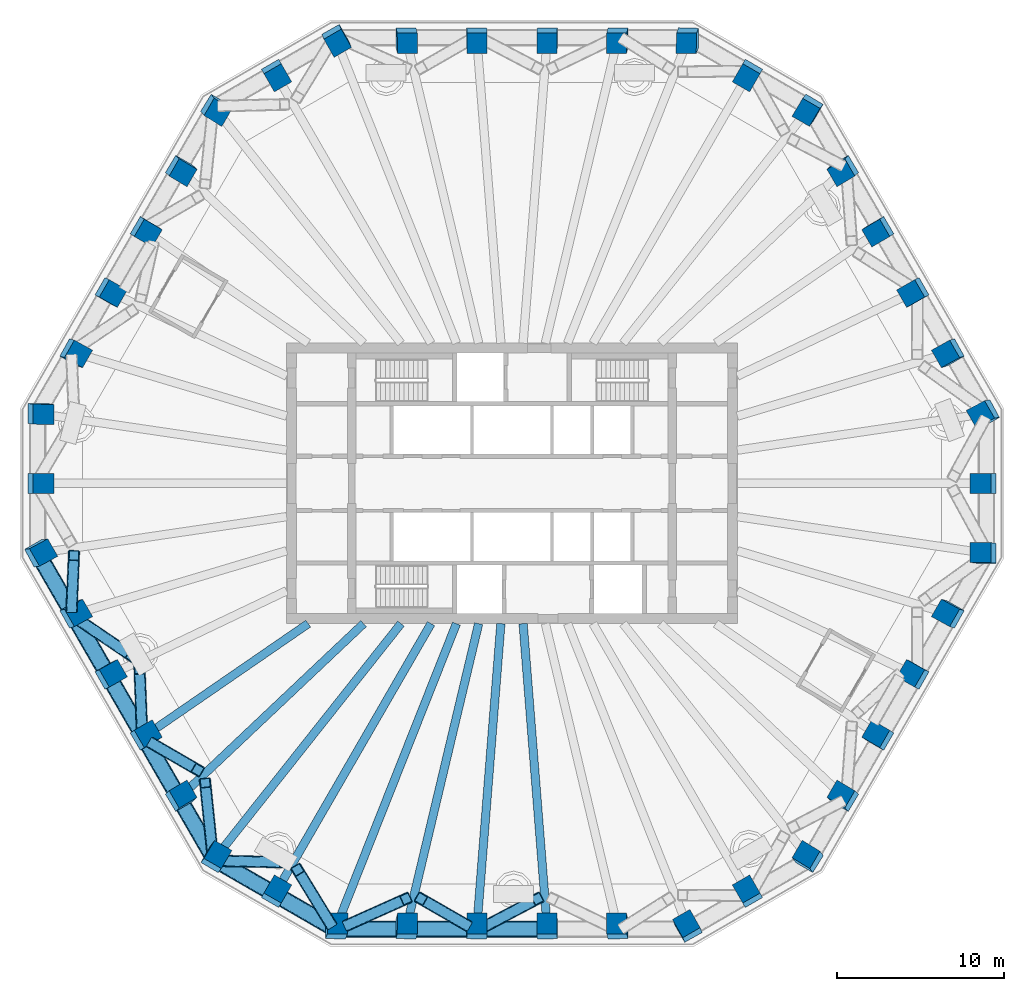
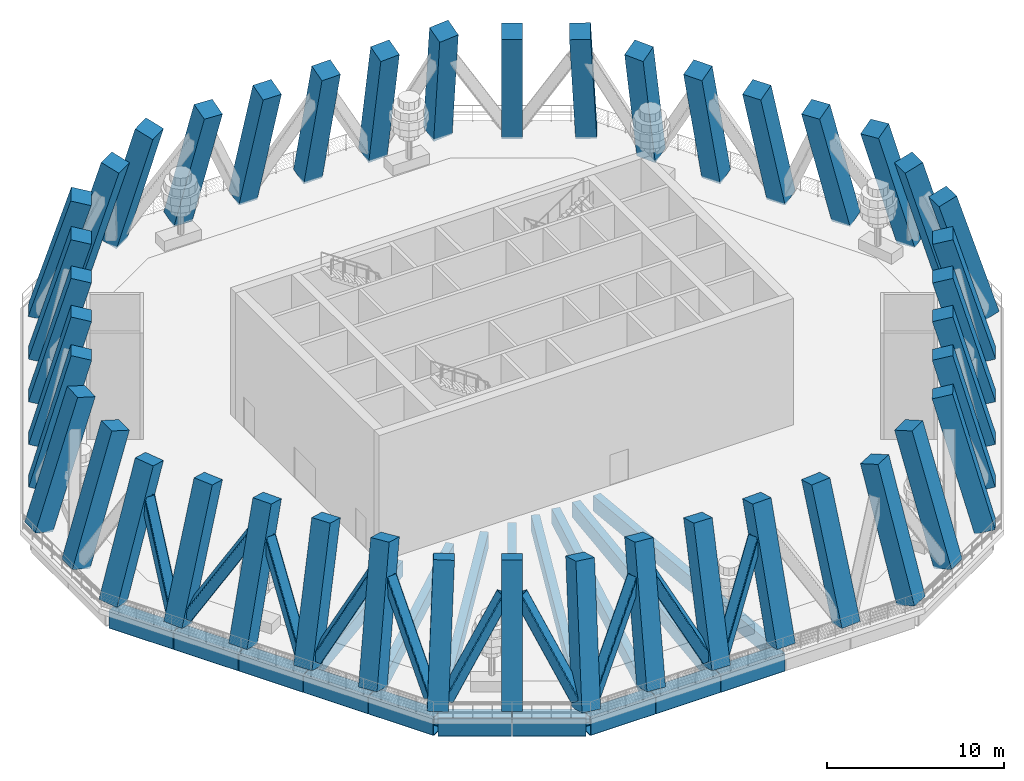
# One storey, part 1 of 11: 42 columns, 18 beams, 10 members.
"""IFC4 building model written with IfcOpenShell, lengths in metres."""

import ifcopenshell
import ifcopenshell.guid

model = None  # the IFC model being written
_history = None  # IfcOwnerHistory: only IFC2X3 demands one
_inside = {}  # id of a spatial element -> (the spatial element, [elements in it])
_under = {}  # id of a project, library or spatial element -> (it, [spatial elements below it])
_declared = {}  # id of a project -> (the project, [libraries it declares])
_typed = {}  # id of a type object -> (the type object, [elements of that type])
_made_of = {}  # id of a material, layer set ... -> (it, [elements and type objects made of it])


def new_model(schema):
    """Start an empty IFC model of exactly this schema.

    Asked for "IFC4X3", IfcOpenShell would pick the latest addendum, in which some entities
    have other attributes; the version numbers below select the first issue.
    IFC2X3 requires an IfcOwnerHistory on every rooted entity: one is made here for all.
    """
    global model, _history
    if schema == "IFC4X3":
        model = ifcopenshell.file(schema_version=(4, 3, 0, 0))
    else:
        model = ifcopenshell.file(schema=schema)
    _inside.clear()
    _under.clear()
    _declared.clear()
    _typed.clear()
    _made_of.clear()
    _history = None
    if model.schema == "IFC2X3":
        org = make("IfcOrganization", Name="unknown")
        user = make(
            "IfcPersonAndOrganization",
            ThePerson=make("IfcPerson", FamilyName="unknown"),
            TheOrganization=org,
        )
        app = make(
            "IfcApplication",
            ApplicationDeveloper=org,
            Version="unknown",
            ApplicationFullName="unknown",
            ApplicationIdentifier="unknown",
        )
        _history = make(
            "IfcOwnerHistory",
            OwningUser=user,
            OwningApplication=app,
            ChangeAction="ADDED",
            CreationDate=0,
        )
    return model


def make(cls, **values):
    """One entity of the class cls with the attributes given. An attribute that is None is left unset."""
    return model.create_entity(
        cls, **{name: value for name, value in values.items() if value is not None}
    )


def rooted(cls, **values):
    """An entity with a GlobalId (a new one), such as an element, a storey or a relation."""
    return make(cls, GlobalId=ifcopenshell.guid.new(), OwnerHistory=_history, **values)


def si_unit(unit_type, name, prefix=None):
    """IfcSIUnit, for example si_unit("LENGTHUNIT", "METRE", prefix="MILLI")."""
    return make("IfcSIUnit", UnitType=unit_type, Prefix=prefix, Name=name)


def assignment(units):
    """IfcUnitAssignment: the units of a project."""
    return None if units is None else make("IfcUnitAssignment", Units=units)


def point(xyz):
    """IfcCartesianPoint."""
    return None if xyz is None else make("IfcCartesianPoint", Coordinates=xyz)


def direction(xyz):
    """IfcDirection."""
    return None if xyz is None else make("IfcDirection", DirectionRatios=xyz)


def frame(location, z_axis=None, x_axis=None):
    """IfcAxis2Placement3D, a coordinate frame: its origin and axes. An axis left out is left unset."""
    return make(
        "IfcAxis2Placement3D",
        Location=point(location),
        Axis=direction(z_axis),
        RefDirection=direction(x_axis),
    )


def frame_2d(location, x_axis=None):
    """IfcAxis2Placement2D, a coordinate frame in the plane: its origin and x axis."""
    return make(
        "IfcAxis2Placement2D", Location=point(location), RefDirection=direction(x_axis)
    )


def origin():
    """The frame at (0, 0, 0) with its axes left unset."""
    return frame((0.0, 0.0, 0.0))


def origin_2d():
    """The frame at (0, 0) in the plane with its x axis left unset."""
    return frame_2d((0.0, 0.0))


def place(relative_to, where):
    """IfcLocalPlacement: puts the frame where relative to a parent placement (None: the world)."""
    return make(
        "IfcLocalPlacement", PlacementRelTo=relative_to, RelativePlacement=where
    )


def context(
    kind, dimensions, precision=None, world=None, true_north=None, identifier=None
):
    """IfcGeometricRepresentationContext, for example the 3D "Model" context."""
    return make(
        "IfcGeometricRepresentationContext",
        ContextIdentifier=identifier,
        ContextType=kind,
        CoordinateSpaceDimension=dimensions,
        Precision=precision,
        WorldCoordinateSystem=world,
        TrueNorth=true_north,
    )


def subcontext(parent, identifier, kind, view, scale=None):
    """IfcGeometricRepresentationSubContext, for example "Body" below "Model"."""
    return make(
        "IfcGeometricRepresentationSubContext",
        ContextIdentifier=identifier,
        ContextType=kind,
        ParentContext=parent,
        TargetScale=scale,
        TargetView=view,
    )


def project(units=None, contexts=None):
    """IfcProject with its units and contexts."""
    return rooted(
        "IfcProject",
        Name="project",
        RepresentationContexts=contexts,
        UnitsInContext=assignment(units),
    )


def spatial(cls, under=None, at=None, **own):
    """A site, building, storey or space (cls), placed at a placement, below another one or the project."""
    s = rooted(cls, ObjectPlacement=at, **own)
    if under is not None:
        _under.setdefault(under.id(), (under, []))[1].append(s)
    return s


def profile(cls, at=None, kind="AREA", **sizes):
    """A parametric profile (cls). Its sizes go by their IFC names, for example OverallWidth=200.0."""
    return make(cls, ProfileType=kind, Position=at, **sizes)


def rectangle(**sizes):
    """IfcRectangleProfileDef."""
    return profile("IfcRectangleProfileDef", **sizes)


def hollow_rectangle(**sizes):
    """IfcRectangleHollowProfileDef."""
    return profile("IfcRectangleHollowProfileDef", **sizes)


def extrude(swept, where, along, depth):
    """IfcExtrudedAreaSolid: the profile swept, set in the frame where, extruded along a direction by depth."""
    return make(
        "IfcExtrudedAreaSolid",
        SweptArea=swept,
        Position=where,
        ExtrudedDirection=direction(along),
        Depth=depth,
    )


def shape(context_of_items, identifier, shape_type, items):
    """IfcShapeRepresentation: the items that make up one representation, for example the "Body"."""
    return make(
        "IfcShapeRepresentation",
        ContextOfItems=context_of_items,
        RepresentationIdentifier=identifier,
        RepresentationType=shape_type,
        Items=items,
    )


def material(Name=None, Category=None):
    """IfcMaterial."""
    return make("IfcMaterial", Name=Name, Category=Category)


def material_profile(
    of_material, cross_section, Name=None, Category=None, Priority=None
):
    """IfcMaterialProfile: a cross section and its material."""
    return make(
        "IfcMaterialProfile",
        Name=Name,
        Material=of_material,
        Profile=cross_section,
        Priority=Priority,
        Category=Category,
    )


def profile_set(profiles, Name=None, composite=None):
    """IfcMaterialProfileSet."""
    return make(
        "IfcMaterialProfileSet",
        Name=Name,
        MaterialProfiles=profiles,
        CompositeProfile=composite,
    )


def made_of(thing, what):
    """Note that an element or type object is made of a material, layer set ...; save() writes the relation."""
    if what is not None:
        _made_of.setdefault(what.id(), (what, []))[1].append(thing)
    return thing


def type_object(cls, material=None, **own):
    """A type object (cls), such as IfcWallType, which elements share."""
    return made_of(rooted(cls, **own), material)


def element(
    cls,
    number,
    at=None,
    inside=None,
    cuts=None,
    type_object=None,
    material=None,
    context=None,
    identifier="Body",
    shape_type=None,
    held_by="IfcProductDefinitionShape",
    body=None,
    shapes=None,
    **own,
):
    """One element of the class cls, such as IfcWall. Its Tag is "e" and its number.

    at: its placement. inside: the storey or other place that contains it. cuts: it is an
    opening in that element (IfcRelVoidsElement). A single representation is given by context,
    identifier, shape_type and body (its items); several are given by shapes. held_by: the class
    of the entity that holds the representations. save() writes the other relations.
    """
    e = rooted(cls, Tag="e%d" % number, ObjectPlacement=at, **own)
    if body is not None:
        shapes = [shape(context, identifier, shape_type, body)]
    if shapes is not None:
        e.Representation = make(held_by, Representations=shapes)
    if inside is not None:
        _inside.setdefault(inside.id(), (inside, []))[1].append(e)
    if cuts is not None:
        rooted(
            "IfcRelVoidsElement", RelatingBuildingElement=cuts, RelatedOpeningElement=e
        )
    if type_object is not None:
        _typed.setdefault(type_object.id(), (type_object, []))[1].append(e)
    return made_of(e, material)


def aggregate(whole, parts):
    """IfcRelAggregates: a whole, such as a stair, and the parts it consists of."""
    return rooted("IfcRelAggregates", RelatingObject=whole, RelatedObjects=parts)


def save(model, path):
    """Write the relations noted so far, then the file.

    IfcRelAggregates (storeys below a building ...), IfcRelContainedInSpatialStructure (elements
    in a storey), IfcRelDefinesByType, IfcRelAssociatesMaterial and IfcRelDeclares: one each for
    every whole, place, type object, material and project.
    """
    for whole, parts in _under.values():
        aggregate(whole, parts)
    for where, things in _inside.values():
        rooted(
            "IfcRelContainedInSpatialStructure",
            RelatedElements=things,
            RelatingStructure=where,
        )
    for kind, things in _typed.values():
        rooted("IfcRelDefinesByType", RelatedObjects=things, RelatingType=kind)
    for what, things in _made_of.values():
        rooted("IfcRelAssociatesMaterial", RelatedObjects=things, RelatingMaterial=what)
    for by, libraries in _declared.values():
        rooted("IfcRelDeclares", RelatingContext=by, RelatedDefinitions=libraries)
    model.write(path)


model = new_model("IFC4")

# Units and contexts
model_context = context("Model", 3, precision=1e-05, world=origin(), true_north=direction((0.0, 1.0)))
body_context = subcontext(model_context, "Body", "Model", "MODEL_VIEW")
ifc_project = project(units=[si_unit("LENGTHUNIT", "METRE"), si_unit("AREAUNIT", "SQUARE_METRE"), si_unit("VOLUMEUNIT", "CUBIC_METRE"), si_unit("PLANEANGLEUNIT", "RADIAN"), si_unit("MASSUNIT", "GRAM", prefix="KILO")], contexts=[model_context])

# Site, building, storey
site_placement = place(None, origin())
site = spatial("IfcSite", under=ifc_project, at=site_placement, CompositionType="ELEMENT")
building_placement = place(site_placement, origin())
building = spatial("IfcBuilding", under=site, at=building_placement, Name="Frailejon Research Tower", CompositionType="ELEMENT")
storey_placement = place(building_placement, frame((0.0, 0.0, 202.39990234375)))
storey = spatial("IfcBuildingStorey", under=building, at=storey_placement, Name="L44", CompositionType="ELEMENT", Elevation=202.39990234375)

# Columns
ifc_material_1 = material(Name="Concrete C60/75", Category="concrete")
ifc_material_profile_1 = material_profile(ifc_material_1, rectangle(XDim=1.199951171875, YDim=1.199951171875, at=origin_2d()), Name="Column 1200")
ifc_profile_set_1 = profile_set([ifc_material_profile_1], Name="Concrete C60/75")
column_type = type_object("IfcColumnType", Name="Column 1200", PredefinedType="COLUMN", material=ifc_profile_set_1)
column_1_placement = place(storey_placement, frame((28.412841796875, -4.1875, 0.0), z_axis=(-0.285024833516, 0.038402035583, 0.957750556221), x_axis=(0.010942054905, 0.99926236971, -0.036810160507)))
element("IfcColumn", 1, at=column_1_placement, inside=storey, type_object=column_type, Name="Column C01", PredefinedType="COLUMN", context=body_context, shape_type="SweptSolid", body=[
    extrude(rectangle(XDim=1.199951171875, YDim=1.199951171875, at=origin_2d()), origin(), (0.0, 0.0, 1.0), 9.021240234375),
])
column_2_placement = place(storey_placement, frame((28.412841796875, 0.0, 0.0), z_axis=(-0.285235231642, 0.0, 0.958457543468), x_axis=(0.0, 1.0, 0.0)))
element("IfcColumn", 2, at=column_2_placement, inside=storey, type_object=column_type, Name="Column C02", PredefinedType="COLUMN", context=body_context, shape_type="SweptSolid", body=[
    extrude(rectangle(XDim=1.199951171875, YDim=1.199951171875, at=origin_2d()), origin(), (0.0, 0.0, 1.0), 9.0146484375),
])
column_3_placement = place(storey_placement, frame((28.412841796875, 4.1875, 0.0), z_axis=(-0.285024833516, -0.038402035583, 0.957750556221), x_axis=(-0.471672845248, 0.875467738372, -0.105266167997)))
element("IfcColumn", 3, at=column_3_placement, inside=storey, type_object=column_type, Name="Column C03", PredefinedType="COLUMN", context=body_context, shape_type="SweptSolid", body=[
    extrude(rectangle(XDim=1.199951171875, YDim=1.199951171875, at=origin_2d()), origin(), (0.0, 0.0, 1.0), 9.021240234375),
])
column_4_placement = place(storey_placement, frame((26.296875, 7.8525390625, 0.0), z_axis=(-0.264195768632, -0.076528481258, 0.96142809788), x_axis=(-0.483612553111, 0.872982572029, -0.063406051811)))
element("IfcColumn", 4, at=column_4_placement, inside=storey, type_object=column_type, Name="Column C04", PredefinedType="COLUMN", context=body_context, shape_type="SweptSolid", body=[
    extrude(rectangle(XDim=1.199951171875, YDim=1.199951171875, at=origin_2d()), origin(), (0.0, 0.0, 1.0), 8.98681640625),
])
for number, where, z_axis, x_axis, name in (
    (5, (24.180908203125, 11.517578125, 0.0), (-0.242713405847, -0.114756052378, 0.963286692042), (-0.494793807773, 0.868752362567, -0.021175937364), "Column C05"),
    (6, (22.06494140625, 15.1826171875, 0.0), (-0.220746484532, -0.152834958156, 0.963282131638), (-0.505005282396, 0.862856493433, 0.021173957909), "Column C06"),
):
    element("IfcColumn", number, at=place(storey_placement, frame(where, z_axis=z_axis, x_axis=x_axis)), inside=storey, type_object=column_type, Name=name, PredefinedType="COLUMN", context=body_context, shape_type="SweptSolid", body=[
        extrude(rectangle(XDim=1.199951171875, YDim=1.199951171875, at=origin_2d()), origin(), (0.0, 0.0, 1.0), 8.969482421875),
    ])
column_5_placement = place(storey_placement, frame((19.948974609375, 18.847412109375, 0.0), z_axis=(-0.19837166448, -0.190520471514, 0.961431553812), x_axis=(-0.514169854602, 0.855341262604, 0.063408872459)))
element("IfcColumn", 7, at=column_5_placement, inside=storey, type_object=column_type, Name="Column C07", PredefinedType="COLUMN", context=body_context, shape_type="SweptSolid", body=[
    extrude(rectangle(XDim=1.199951171875, YDim=1.199951171875, at=origin_2d()), origin(), (0.0, 0.0, 1.0), 8.98681640625),
])
column_6_placement = place(storey_placement, frame((17.8330078125, 22.512451171875, 0.0), z_axis=(-0.175772958069, -0.227625304129, 0.95775288469), x_axis=(-0.859892522405, 0.509146496543, -0.036806181142)))
element("IfcColumn", 8, at=column_6_placement, inside=storey, type_object=column_type, Name="Column C08", PredefinedType="COLUMN", context=body_context, shape_type="SweptSolid", body=[
    extrude(rectangle(XDim=1.199951171875, YDim=1.199951171875, at=origin_2d()), origin(), (0.0, 0.0, 1.0), 9.021240234375),
])
column_7_placement = place(storey_placement, frame((14.206298828125, 24.606201171875, 0.0), z_axis=(-0.142591064296, -0.247022430664, 0.958461114043), x_axis=(-0.86606365686, 0.499933737872, 1.991234e-06)))
element("IfcColumn", 9, at=column_7_placement, inside=storey, type_object=column_type, Name="Column C09", PredefinedType="COLUMN", context=body_context, shape_type="SweptSolid", body=[
    extrude(rectangle(XDim=1.199951171875, YDim=1.199951171875, at=origin_2d()), origin(), (0.0, 0.0, 1.0), 9.0146484375),
])
column_8_placement = place(storey_placement, frame((10.579833984375, 26.699951171875, 0.0), z_axis=(-0.109252715505, -0.266027791284, 0.957754174316), x_axis=(-0.994014006009, 0.029242688055, -0.105266428897)))
element("IfcColumn", 10, at=column_8_placement, inside=storey, type_object=column_type, Name="Column C10", PredefinedType="COLUMN", context=body_context, shape_type="SweptSolid", body=[
    extrude(rectangle(XDim=1.199951171875, YDim=1.199951171875, at=origin_2d()), origin(), (0.0, 0.0, 1.0), 9.021240234375),
])
column_9_placement = place(storey_placement, frame((6.347900390625, 26.699951171875, 0.0), z_axis=(-0.065798042197, -0.26704985747, 0.961433820535), x_axis=(-0.997832960743, 0.017599950241, -0.063400506359)))
element("IfcColumn", 11, at=column_9_placement, inside=storey, type_object=column_type, Name="Column C11", PredefinedType="COLUMN", context=body_context, shape_type="SweptSolid", body=[
    extrude(rectangle(XDim=1.199951171875, YDim=1.199951171875, at=origin_2d()), origin(), (0.0, 0.0, 1.0), 8.98681640625),
])
for number, where, z_axis, x_axis, name in (
    (12, (2.115966796875, 26.699951171875, 0.0), (-0.021993142526, -0.267565087911, 0.96328875495), (-0.999758120966, 0.005920030442, -0.021181425897), "Column C12"),
    (13, (-2.115966796875, 26.699951171875, 0.0), (0.021993142526, -0.267565087911, 0.96328875495), (-0.999758120966, -0.005920030442, 0.021181425897), "Column C13"),
):
    element("IfcColumn", number, at=place(storey_placement, frame(where, z_axis=z_axis, x_axis=x_axis)), inside=storey, type_object=column_type, Name=name, PredefinedType="COLUMN", context=body_context, shape_type="SweptSolid", body=[
        extrude(rectangle(XDim=1.199951171875, YDim=1.199951171875, at=origin_2d()), origin(), (0.0, 0.0, 1.0), 8.969482421875),
    ])
column_10_placement = place(storey_placement, frame((-6.347900390625, 26.699951171875, 0.0), z_axis=(0.065798042197, -0.26704985747, 0.961433820535), x_axis=(-0.997832960743, -0.017599950241, 0.063400506359)))
element("IfcColumn", 14, at=column_10_placement, inside=storey, type_object=column_type, Name="Column C14", PredefinedType="COLUMN", context=body_context, shape_type="SweptSolid", body=[
    extrude(rectangle(XDim=1.199951171875, YDim=1.199951171875, at=origin_2d()), origin(), (0.0, 0.0, 1.0), 8.98681640625),
])
column_11_placement = place(storey_placement, frame((-10.579833984375, 26.699951171875, 0.0), z_axis=(0.109252715505, -0.266027791284, 0.957754174316), x_axis=(-0.870862101532, -0.490147622844, -0.036803640256)))
element("IfcColumn", 15, at=column_11_placement, inside=storey, type_object=column_type, Name="Column C15", PredefinedType="COLUMN", context=body_context, shape_type="SweptSolid", body=[
    extrude(rectangle(XDim=1.199951171875, YDim=1.199951171875, at=origin_2d()), origin(), (0.0, 0.0, 1.0), 9.021240234375),
])
column_12_placement = place(storey_placement, frame((-14.206298828125, 24.606201171875, 0.0), z_axis=(0.142591064296, -0.247022430664, 0.958461114043), x_axis=(-0.86606365686, -0.499933737872, -1.991234e-06)))
element("IfcColumn", 16, at=column_12_placement, inside=storey, type_object=column_type, Name="Column C16", PredefinedType="COLUMN", context=body_context, shape_type="SweptSolid", body=[
    extrude(rectangle(XDim=1.199951171875, YDim=1.199951171875, at=origin_2d()), origin(), (0.0, 0.0, 1.0), 9.0146484375),
])
column_13_placement = place(storey_placement, frame((-17.8330078125, 22.512451171875, 0.0), z_axis=(0.175772958069, -0.227625304129, 0.95775288469), x_axis=(-0.522299894907, -0.846239778543, -0.105266599602)))
element("IfcColumn", 17, at=column_13_placement, inside=storey, type_object=column_type, Name="Column C17", PredefinedType="COLUMN", context=body_context, shape_type="SweptSolid", body=[
    extrude(rectangle(XDim=1.199951171875, YDim=1.199951171875, at=origin_2d()), origin(), (0.0, 0.0, 1.0), 9.021240234375),
])
column_14_placement = place(storey_placement, frame((-19.948974609375, 18.847412109375, 0.0), z_axis=(0.19837166448, -0.190520471514, 0.961431553812), x_axis=(-0.514169854602, -0.855341262604, -0.063408872459)))
element("IfcColumn", 18, at=column_14_placement, inside=storey, type_object=column_type, Name="Column C18", PredefinedType="COLUMN", context=body_context, shape_type="SweptSolid", body=[
    extrude(rectangle(XDim=1.199951171875, YDim=1.199951171875, at=origin_2d()), origin(), (0.0, 0.0, 1.0), 8.98681640625),
])
for number, where, z_axis, x_axis, name in (
    (19, (-22.06494140625, 15.1826171875, 0.0), (0.220746484532, -0.152834958156, 0.963282131638), (-0.505005282396, -0.862856493433, -0.021173957909), "Column C19"),
    (20, (-24.180908203125, 11.517578125, 0.0), (0.242713405847, -0.114756052378, 0.963286692042), (-0.494793807773, -0.868752362567, 0.021175937364), "Column C20"),
):
    element("IfcColumn", number, at=place(storey_placement, frame(where, z_axis=z_axis, x_axis=x_axis)), inside=storey, type_object=column_type, Name=name, PredefinedType="COLUMN", context=body_context, shape_type="SweptSolid", body=[
        extrude(rectangle(XDim=1.199951171875, YDim=1.199951171875, at=origin_2d()), origin(), (0.0, 0.0, 1.0), 8.969482421875),
    ])
column_15_placement = place(storey_placement, frame((-26.296875, 7.8525390625, 0.0), z_axis=(0.264195768632, -0.076528481258, 0.96142809788), x_axis=(-0.483612553111, -0.872982572029, 0.063406051811)))
element("IfcColumn", 21, at=column_15_placement, inside=storey, type_object=column_type, Name="Column C21", PredefinedType="COLUMN", context=body_context, shape_type="SweptSolid", body=[
    extrude(rectangle(XDim=1.199951171875, YDim=1.199951171875, at=origin_2d()), origin(), (0.0, 0.0, 1.0), 8.98681640625),
])
column_16_placement = place(storey_placement, frame((-28.412841796875, 4.1875, 0.0), z_axis=(0.285024833516, -0.038402035583, 0.957750556221), x_axis=(-0.010942054905, -0.99926236971, -0.036810160507)))
element("IfcColumn", 22, at=column_16_placement, inside=storey, type_object=column_type, Name="Column C22", PredefinedType="COLUMN", context=body_context, shape_type="SweptSolid", body=[
    extrude(rectangle(XDim=1.199951171875, YDim=1.199951171875, at=origin_2d()), origin(), (0.0, 0.0, 1.0), 9.021240234375),
])
column_17_placement = place(storey_placement, frame((-28.412841796875, 0.0, 0.0), z_axis=(0.285235231642, 0.0, 0.958457543468), x_axis=(0.0, -1.0, 0.0)))
element("IfcColumn", 23, at=column_17_placement, inside=storey, type_object=column_type, Name="Column C23", PredefinedType="COLUMN", context=body_context, shape_type="SweptSolid", body=[
    extrude(rectangle(XDim=1.199951171875, YDim=1.199951171875, at=origin_2d()), origin(), (0.0, 0.0, 1.0), 9.0146484375),
])
column_18_placement = place(storey_placement, frame((-28.412841796875, -4.1875, 0.0), z_axis=(0.285024833516, 0.038402035583, 0.957750556221), x_axis=(0.471672845248, -0.875467738372, -0.105266167997)))
element("IfcColumn", 24, at=column_18_placement, inside=storey, type_object=column_type, Name="Column C24", PredefinedType="COLUMN", context=body_context, shape_type="SweptSolid", body=[
    extrude(rectangle(XDim=1.199951171875, YDim=1.199951171875, at=origin_2d()), origin(), (0.0, 0.0, 1.0), 9.021240234375),
])
column_19_placement = place(storey_placement, frame((-26.296875, -7.8525390625, 0.0), z_axis=(0.264195768632, 0.076528481258, 0.96142809788), x_axis=(0.483612553111, -0.872982572029, -0.063406051811)))
element("IfcColumn", 25, at=column_19_placement, inside=storey, type_object=column_type, Name="Column C25", PredefinedType="COLUMN", context=body_context, shape_type="SweptSolid", body=[
    extrude(rectangle(XDim=1.199951171875, YDim=1.199951171875, at=origin_2d()), origin(), (0.0, 0.0, 1.0), 8.98681640625),
])
for number, where, z_axis, x_axis, name in (
    (26, (-24.180908203125, -11.517578125, 0.0), (0.242713405847, 0.114756052378, 0.963286692042), (0.494793807773, -0.868752362567, -0.021175937364), "Column C26"),
    (27, (-22.06494140625, -15.1826171875, 0.0), (0.220746484532, 0.152834958156, 0.963282131638), (0.505005282396, -0.862856493433, 0.021173957909), "Column C27"),
):
    element("IfcColumn", number, at=place(storey_placement, frame(where, z_axis=z_axis, x_axis=x_axis)), inside=storey, type_object=column_type, Name=name, PredefinedType="COLUMN", context=body_context, shape_type="SweptSolid", body=[
        extrude(rectangle(XDim=1.199951171875, YDim=1.199951171875, at=origin_2d()), origin(), (0.0, 0.0, 1.0), 8.969482421875),
    ])
column_20_placement = place(storey_placement, frame((-19.948974609375, -18.847412109375, 0.0), z_axis=(0.19837166448, 0.190520471514, 0.961431553812), x_axis=(0.514169854602, -0.855341262604, 0.063408872459)))
element("IfcColumn", 28, at=column_20_placement, inside=storey, type_object=column_type, Name="Column C28", PredefinedType="COLUMN", context=body_context, shape_type="SweptSolid", body=[
    extrude(rectangle(XDim=1.199951171875, YDim=1.199951171875, at=origin_2d()), origin(), (0.0, 0.0, 1.0), 8.98681640625),
])
column_21_placement = place(storey_placement, frame((-17.8330078125, -22.512451171875, 0.0), z_axis=(0.175772958069, 0.227625304129, 0.95775288469), x_axis=(0.859892522405, -0.509146496543, -0.036806181142)))
element("IfcColumn", 29, at=column_21_placement, inside=storey, type_object=column_type, Name="Column C29", PredefinedType="COLUMN", context=body_context, shape_type="SweptSolid", body=[
    extrude(rectangle(XDim=1.199951171875, YDim=1.199951171875, at=origin_2d()), origin(), (0.0, 0.0, 1.0), 9.021240234375),
])
column_22_placement = place(storey_placement, frame((-14.206298828125, -24.606201171875, 0.0), z_axis=(0.142591064296, 0.247022430664, 0.958461114043), x_axis=(0.86606365686, -0.499933737872, 1.991234e-06)))
element("IfcColumn", 30, at=column_22_placement, inside=storey, type_object=column_type, Name="Column C30", PredefinedType="COLUMN", context=body_context, shape_type="SweptSolid", body=[
    extrude(rectangle(XDim=1.199951171875, YDim=1.199951171875, at=origin_2d()), origin(), (0.0, 0.0, 1.0), 9.0146484375),
])
column_23_placement = place(storey_placement, frame((-10.579833984375, -26.699951171875, 0.0), z_axis=(0.109252715505, 0.266027791284, 0.957754174316), x_axis=(0.994014006009, -0.029242688055, -0.105266428897)))
element("IfcColumn", 31, at=column_23_placement, inside=storey, type_object=column_type, Name="Column C31", PredefinedType="COLUMN", context=body_context, shape_type="SweptSolid", body=[
    extrude(rectangle(XDim=1.199951171875, YDim=1.199951171875, at=origin_2d()), origin(), (0.0, 0.0, 1.0), 9.021240234375),
])
column_24_placement = place(storey_placement, frame((-6.347900390625, -26.699951171875, 0.0), z_axis=(0.065798042197, 0.26704985747, 0.961433820535), x_axis=(0.997832960743, -0.017599950241, -0.063400506359)))
element("IfcColumn", 32, at=column_24_placement, inside=storey, type_object=column_type, Name="Column C32", PredefinedType="COLUMN", context=body_context, shape_type="SweptSolid", body=[
    extrude(rectangle(XDim=1.199951171875, YDim=1.199951171875, at=origin_2d()), origin(), (0.0, 0.0, 1.0), 8.98681640625),
])
for number, where, z_axis, x_axis, name in (
    (33, (-2.115966796875, -26.699951171875, 0.0), (0.021993142526, 0.267565087911, 0.96328875495), (0.999758120966, -0.005920030442, -0.021181425897), "Column C33"),
    (34, (2.115966796875, -26.699951171875, 0.0), (-0.021993142526, 0.267565087911, 0.96328875495), (0.999758120966, 0.005920030442, 0.021181425897), "Column C34"),
):
    element("IfcColumn", number, at=place(storey_placement, frame(where, z_axis=z_axis, x_axis=x_axis)), inside=storey, type_object=column_type, Name=name, PredefinedType="COLUMN", context=body_context, shape_type="SweptSolid", body=[
        extrude(rectangle(XDim=1.199951171875, YDim=1.199951171875, at=origin_2d()), origin(), (0.0, 0.0, 1.0), 8.969482421875),
    ])
column_25_placement = place(storey_placement, frame((6.347900390625, -26.699951171875, 0.0), z_axis=(-0.065798042197, 0.26704985747, 0.961433820535), x_axis=(0.997832960743, 0.017599950241, 0.063400506359)))
element("IfcColumn", 35, at=column_25_placement, inside=storey, type_object=column_type, Name="Column C35", PredefinedType="COLUMN", context=body_context, shape_type="SweptSolid", body=[
    extrude(rectangle(XDim=1.199951171875, YDim=1.199951171875, at=origin_2d()), origin(), (0.0, 0.0, 1.0), 8.98681640625),
])
column_26_placement = place(storey_placement, frame((10.579833984375, -26.699951171875, 0.0), z_axis=(-0.109252715505, 0.266027791284, 0.957754174316), x_axis=(0.870862101532, 0.490147622844, -0.036803640256)))
element("IfcColumn", 36, at=column_26_placement, inside=storey, type_object=column_type, Name="Column C36", PredefinedType="COLUMN", context=body_context, shape_type="SweptSolid", body=[
    extrude(rectangle(XDim=1.199951171875, YDim=1.199951171875, at=origin_2d()), origin(), (0.0, 0.0, 1.0), 9.021240234375),
])
column_27_placement = place(storey_placement, frame((14.206298828125, -24.606201171875, 0.0), z_axis=(-0.142591064296, 0.247022430664, 0.958461114043), x_axis=(0.86606365686, 0.499933737872, -1.991234e-06)))
element("IfcColumn", 37, at=column_27_placement, inside=storey, type_object=column_type, Name="Column C37", PredefinedType="COLUMN", context=body_context, shape_type="SweptSolid", body=[
    extrude(rectangle(XDim=1.199951171875, YDim=1.199951171875, at=origin_2d()), origin(), (0.0, 0.0, 1.0), 9.0146484375),
])
column_28_placement = place(storey_placement, frame((17.8330078125, -22.512451171875, 0.0), z_axis=(-0.175772958069, 0.227625304129, 0.95775288469), x_axis=(0.522299894907, 0.846239778543, -0.105266599602)))
element("IfcColumn", 38, at=column_28_placement, inside=storey, type_object=column_type, Name="Column C38", PredefinedType="COLUMN", context=body_context, shape_type="SweptSolid", body=[
    extrude(rectangle(XDim=1.199951171875, YDim=1.199951171875, at=origin_2d()), origin(), (0.0, 0.0, 1.0), 9.021240234375),
])
column_29_placement = place(storey_placement, frame((19.948974609375, -18.847412109375, 0.0), z_axis=(-0.19837166448, 0.190520471514, 0.961431553812), x_axis=(0.514169854602, 0.855341262604, -0.063408872459)))
element("IfcColumn", 39, at=column_29_placement, inside=storey, type_object=column_type, Name="Column C39", PredefinedType="COLUMN", context=body_context, shape_type="SweptSolid", body=[
    extrude(rectangle(XDim=1.199951171875, YDim=1.199951171875, at=origin_2d()), origin(), (0.0, 0.0, 1.0), 8.98681640625),
])
for number, where, z_axis, x_axis, name in (
    (40, (22.06494140625, -15.1826171875, 0.0), (-0.220746484532, 0.152834958156, 0.963282131638), (0.505005282396, 0.862856493433, -0.021173957909), "Column C40"),
    (41, (24.180908203125, -11.517578125, 0.0), (-0.242713405847, 0.114756052378, 0.963286692042), (0.494793807773, 0.868752362567, 0.021175937364), "Column C41"),
):
    element("IfcColumn", number, at=place(storey_placement, frame(where, z_axis=z_axis, x_axis=x_axis)), inside=storey, type_object=column_type, Name=name, PredefinedType="COLUMN", context=body_context, shape_type="SweptSolid", body=[
        extrude(rectangle(XDim=1.199951171875, YDim=1.199951171875, at=origin_2d()), origin(), (0.0, 0.0, 1.0), 8.969482421875),
    ])
column_30_placement = place(storey_placement, frame((26.296875, -7.8525390625, 0.0), z_axis=(-0.264195768632, 0.076528481258, 0.96142809788), x_axis=(0.483612553111, 0.872982572029, 0.063406051811)))
element("IfcColumn", 42, at=column_30_placement, inside=storey, type_object=column_type, Name="Column C42", PredefinedType="COLUMN", context=body_context, shape_type="SweptSolid", body=[
    extrude(rectangle(XDim=1.199951171875, YDim=1.199951171875, at=origin_2d()), origin(), (0.0, 0.0, 1.0), 8.98681640625),
])

# Beams
ifc_material_2 = material(Name="Steel S355", Category="steel")
ifc_material_profile_2 = material_profile(ifc_material_2, hollow_rectangle(XDim=1.0, YDim=1.300048828125, WallThickness=0.06005859375, InnerFilletRadius=0.06005859375, OuterFilletRadius=0.1201171875, at=origin_2d()), Name="Belt chord")
ifc_profile_set_2 = profile_set([ifc_material_profile_2], Name="Steel S355")
beam_type_1 = type_object("IfcBeamType", Name="Belt chord", PredefinedType="BEAM", material=ifc_profile_set_2)
for number, where, z_axis, x_axis, name in (
    (43, (-28.40283203125, -4.204833984375, -1.0), (0.499991329354, -0.866030409726, 0.0), (0.866030409726, 0.499991329354, 0.0), "Belt chord"),
    (44, (-26.286865234375, -7.869873046875, -1.0), (0.499991329354, -0.866030409726, 0.0), (0.866030409726, 0.499991329354, 0.0), "Belt chord"),
    (45, (-24.1708984375, -11.534912109375, -1.0), (0.499991329354, -0.866030409726, 0.0), (0.866030409726, 0.499991329354, 0.0), "Belt chord"),
    (46, (-22.054931640625, -15.19970703125, -1.0), (0.499991329354, -0.866030409726, 0.0), (0.866030409726, 0.499991329354, 0.0), "Belt chord"),
    (47, (-19.93896484375, -18.86474609375, -1.0), (0.499991329354, -0.866030409726, 0.0), (0.866030409726, 0.499991329354, 0.0), "Belt chord"),
):
    element("IfcBeam", number, at=place(storey_placement, frame(where, z_axis=z_axis, x_axis=x_axis)), inside=storey, type_object=beam_type_1, Name=name, PredefinedType="BEAM", context=body_context, shape_type="SweptSolid", body=[
        extrude(hollow_rectangle(XDim=1.0, YDim=1.300048828125, WallThickness=0.06005859375, InnerFilletRadius=0.06005859375, OuterFilletRadius=0.1201171875, at=origin_2d()), origin(), (0.0, 0.0, 1.0), 4.19189453125),
    ])
for number, where, z_axis, x_axis, name in (
    (48, (-17.815673828125, -22.5224609375, -1.0), (0.866039536849, -0.499975520016, 0.0), (0.499975520016, 0.866039536849, 0.0), "Belt chord"),
    (49, (-14.189208984375, -24.6162109375, -1.0), (0.866039536849, -0.499975520016, 0.0), (0.499975520016, 0.866039536849, 0.0), "Belt chord"),
):
    element("IfcBeam", number, at=place(storey_placement, frame(where, z_axis=z_axis, x_axis=x_axis)), inside=storey, type_object=beam_type_1, Name=name, PredefinedType="BEAM", context=body_context, shape_type="SweptSolid", body=[
        extrude(hollow_rectangle(XDim=1.0, YDim=1.300048828125, WallThickness=0.06005859375, InnerFilletRadius=0.06005859375, OuterFilletRadius=0.1201171875, at=origin_2d()), origin(), (0.0, 0.0, 1.0), 4.147705078125),
    ])
for number, where, z_axis, x_axis, name in (
    (50, (-10.559814453125, -26.699951171875, -1.0), (1.0, 0.0, 0.0), (0.0, 1.0, 0.0), "Belt chord"),
    (51, (-6.327880859375, -26.699951171875, -1.0), (1.0, 0.0, 0.0), (0.0, 1.0, 0.0), "Belt chord"),
    (52, (-2.095947265625, -26.699951171875, -1.0), (1.0, 0.0, 0.0), (0.0, 1.0, 0.0), "Belt chord"),
):
    element("IfcBeam", number, at=place(storey_placement, frame(where, z_axis=z_axis, x_axis=x_axis)), inside=storey, type_object=beam_type_1, Name=name, PredefinedType="BEAM", context=body_context, shape_type="SweptSolid", body=[
        extrude(hollow_rectangle(XDim=1.0, YDim=1.300048828125, WallThickness=0.06005859375, InnerFilletRadius=0.06005859375, OuterFilletRadius=0.1201171875, at=origin_2d()), origin(), (0.0, 0.0, 1.0), 4.19189453125),
    ])

# Members
ifc_material_3 = material(Name="Steel S355", Category="steel")
ifc_material_profile_3 = material_profile(ifc_material_3, hollow_rectangle(XDim=0.699951171875, YDim=0.699951171875, WallThickness=0.050048828125, InnerFilletRadius=0.050048828125, OuterFilletRadius=0.10009765625, at=origin_2d()), Name="Belt diagonal 9000")
ifc_profile_set_3 = profile_set([ifc_material_profile_3], Name="Steel S355")
member_type = type_object("IfcMemberType", Name="Belt diagonal 9000", PredefinedType="BRACE", material=ifc_profile_set_3)
member_1_placement = place(storey_placement, frame((-26.2431640625, -4.315185546875, 6.534423828125), z_axis=(-0.019306755463, -0.459782788807, -0.887821511516), x_axis=(0.999119540643, -0.041954064221, 0.0)))
element("IfcMember", 53, at=member_1_placement, inside=storey, type_object=member_type, Name="Belt truss diagonal", PredefinedType="BRACE", context=body_context, shape_type="SweptSolid", body=[
    extrude(hollow_rectangle(XDim=0.699951171875, YDim=0.699951171875, WallThickness=0.050048828125, InnerFilletRadius=0.050048828125, OuterFilletRadius=0.10009765625, at=origin_2d()), origin(), (0.0, 0.0, 1.0), 6.752685546875),
])
member_2_placement = place(storey_placement, frame((-25.923583984375, -8.19921875, 0.539306640625), z_axis=(0.444911316046, -0.302340583366, 0.842997089262), x_axis=(0.562056882277, 0.827098580028, 0.0)))
element("IfcMember", 54, at=member_2_placement, inside=storey, type_object=member_type, Name="Belt truss diagonal", PredefinedType="BRACE", context=body_context, shape_type="SweptSolid", body=[
    extrude(hollow_rectangle(XDim=0.699951171875, YDim=0.699951171875, WallThickness=0.050048828125, InnerFilletRadius=0.050048828125, OuterFilletRadius=0.10009765625, at=origin_2d()), origin(), (0.0, 0.0, 1.0), 7.111572265625),
])
member_3_placement = place(storey_placement, frame((-22.309326171875, -11.12890625, 6.534423828125), z_axis=(0.020486903569, -0.512417313339, -0.858492157083), x_axis=(0.99920172085, 0.039948980584, 0.0)))
element("IfcMember", 55, at=member_3_placement, inside=storey, type_object=member_type, Name="Belt truss diagonal", PredefinedType="BRACE", context=body_context, shape_type="SweptSolid", body=[
    extrude(hollow_rectangle(XDim=0.699951171875, YDim=0.699951171875, WallThickness=0.050048828125, InnerFilletRadius=0.050048828125, OuterFilletRadius=0.10009765625, at=origin_2d()), origin(), (0.0, 0.0, 1.0), 6.9833984375),
])
member_4_placement = place(storey_placement, frame((-21.71630859375, -15.48681640625, 0.539306640625), z_axis=(0.421165413913, -0.244197682983, 0.873491377032), x_axis=(0.50159780274, 0.865100944565, 0.0)))
element("IfcMember", 56, at=member_4_placement, inside=storey, type_object=member_type, Name="Belt truss diagonal", PredefinedType="BRACE", context=body_context, shape_type="SweptSolid", body=[
    extrude(hollow_rectangle(XDim=0.699951171875, YDim=0.699951171875, WallThickness=0.050048828125, InnerFilletRadius=0.050048828125, OuterFilletRadius=0.10009765625, at=origin_2d()), origin(), (0.0, 0.0, 1.0), 6.86328125),
])
member_5_placement = place(storey_placement, frame((-18.375732421875, -17.9423828125, 6.534423828125), z_axis=(0.057498173061, -0.559049313587, -0.827138334907), x_axis=(0.994752542347, 0.102310212074, 0.0)))
element("IfcMember", 57, at=member_5_placement, inside=storey, type_object=member_type, Name="Belt truss diagonal", PredefinedType="BRACE", context=body_context, shape_type="SweptSolid", body=[
    extrude(hollow_rectangle(XDim=0.699951171875, YDim=0.699951171875, WallThickness=0.050048828125, InnerFilletRadius=0.050048828125, OuterFilletRadius=0.10009765625, at=origin_2d()), origin(), (0.0, 0.0, 1.0), 7.248046875),
])
for number, where, z_axis, x_axis, name in (
    (58, (-17.343994140625, -22.60888671875, 0.540283203125), (0.527739220952, -0.0128530986, 0.849309197245), (0.024347798625, 0.999703548409, 0.0), "Belt truss diagonal"),
    (59, (-12.845703125, -23.1494140625, 6.525390625), (0.274973808858, -0.450621687264, -0.849311191148), (0.853623947981, 0.520889772824, 0.0), "Belt truss diagonal"),
):
    element("IfcMember", number, at=place(storey_placement, frame(where, z_axis=z_axis, x_axis=x_axis)), inside=storey, type_object=member_type, Name=name, PredefinedType="BRACE", context=body_context, shape_type="SweptSolid", body=[
        extrude(hollow_rectangle(XDim=0.699951171875, YDim=0.699951171875, WallThickness=0.050048828125, InnerFilletRadius=0.050048828125, OuterFilletRadius=0.10009765625, at=origin_2d()), origin(), (0.0, 0.0, 1.0), 7.047119140625),
    ])
member_6_placement = place(storey_placement, frame((-10.068359375, -26.55029296875, 0.539306640625), z_axis=(0.512923515186, 0.229751201542, 0.82711779872), x_axis=(-0.408789164122, 0.912628850791, 0.0)))
element("IfcMember", 60, at=member_6_placement, inside=storey, type_object=member_type, Name="Belt truss diagonal", PredefinedType="BRACE", context=body_context, shape_type="SweptSolid", body=[
    extrude(hollow_rectangle(XDim=0.699951171875, YDim=0.699951171875, WallThickness=0.050048828125, InnerFilletRadius=0.050048828125, OuterFilletRadius=0.10009765625, at=origin_2d()), origin(), (0.0, 0.0, 1.0), 7.248291015625),
])
member_7_placement = place(storey_placement, frame((-5.45068359375, -24.885009765625, 6.534423828125), z_axis=(0.422086485948, -0.242630365806, -0.873483545334), x_axis=(0.498364048044, 0.866967863082, 0.0)))
element("IfcMember", 61, at=member_7_placement, inside=storey, type_object=member_type, Name="Belt truss diagonal", PredefinedType="BRACE", context=body_context, shape_type="SweptSolid", body=[
    extrude(hollow_rectangle(XDim=0.699951171875, YDim=0.699951171875, WallThickness=0.050048828125, InnerFilletRadius=0.050048828125, OuterFilletRadius=0.10009765625, at=origin_2d()), origin(), (0.0, 0.0, 1.0), 6.863525390625),
])
member_8_placement = place(storey_placement, frame((-1.65380859375, -26.55029296875, 0.539306640625), z_axis=(0.454028371539, 0.238463657678, 0.85848315173), x_axis=(-0.464984860682, 0.885318631531, 0.0)))
element("IfcMember", 62, at=member_8_placement, inside=storey, type_object=member_type, Name="Belt truss diagonal", PredefinedType="BRACE", context=body_context, shape_type="SweptSolid", body=[
    extrude(hollow_rectangle(XDim=0.699951171875, YDim=0.699951171875, WallThickness=0.050048828125, InnerFilletRadius=0.050048828125, OuterFilletRadius=0.10009765625, at=origin_2d()), origin(), (0.0, 0.0, 1.0), 6.9833984375),
])

# Beams
ifc_material_4 = material(Name="Concrete C60/75", Category="concrete")
ifc_material_profile_4 = material_profile(ifc_material_4, rectangle(XDim=0.5, YDim=1.050048828125, at=origin_2d()), Name="Girder 500x1050")
ifc_profile_set_4 = profile_set([ifc_material_profile_4], Name="Concrete C60/75")
beam_type_2 = type_object("IfcBeamType", Name="Girder 500x1050", PredefinedType="BEAM", material=ifc_profile_set_4)
beam_1_placement = place(storey_placement, frame((-21.692626953125, -14.92626953125, -0.824951171875), z_axis=(0.823817884516, 0.566854560846, 0.0), x_axis=(-0.566854560846, 0.823817884516, 0.0)))
element("IfcBeam", 63, at=beam_1_placement, inside=storey, type_object=beam_type_2, Name="Girder 500x1050", PredefinedType="BEAM", context=body_context, shape_type="SweptSolid", body=[
    extrude(rectangle(XDim=0.5, YDim=1.050048828125, at=origin_2d()), origin(), (0.0, 0.0, 1.0), 11.51318359375),
])
beam_2_placement = place(storey_placement, frame((-19.609619140625, -18.527099609375, -0.824951171875), z_axis=(0.726879987685, 0.686764503671, 0.0), x_axis=(-0.686764503671, 0.726879987685, 0.0)))
element("IfcBeam", 64, at=beam_2_placement, inside=storey, type_object=beam_type_2, Name="Girder 500x1050", PredefinedType="BEAM", context=body_context, shape_type="SweptSolid", body=[
    extrude(rectangle(XDim=0.5, YDim=1.050048828125, at=origin_2d()), origin(), (0.0, 0.0, 1.0), 14.746337890625),
])
beam_3_placement = place(storey_placement, frame((-17.549560546875, -22.154541015625, -0.824951171875), z_axis=(0.620936339442, 0.783860996836, 0.0), x_axis=(-0.783860996836, 0.620936339442, 0.0)))
element("IfcBeam", 65, at=beam_3_placement, inside=storey, type_object=beam_type_2, Name="Girder 500x1050", PredefinedType="BEAM", context=body_context, shape_type="SweptSolid", body=[
    extrude(rectangle(XDim=0.5, YDim=1.050048828125, at=origin_2d()), origin(), (0.0, 0.0, 1.0), 17.54736328125),
])
beam_4_placement = place(storey_placement, frame((-13.9814453125, -24.216552734375, -0.824951171875), z_axis=(0.500003637439, 0.866023303698, 0.0), x_axis=(-0.866023303698, 0.500003637439, 0.0)))
element("IfcBeam", 66, at=beam_4_placement, inside=storey, type_object=beam_type_2, Name="Girder 500x1050", PredefinedType="BEAM", context=body_context, shape_type="SweptSolid", body=[
    extrude(rectangle(XDim=0.5, YDim=1.050048828125, at=origin_2d()), origin(), (0.0, 0.0, 1.0), 18.263427734375),
])
beam_5_placement = place(storey_placement, frame((-10.3974609375, -26.239501953125, -0.824951171875), z_axis=(0.368379099234, 0.92967566347, 0.0), x_axis=(-0.92967566347, 0.368379099234, 0.0)))
element("IfcBeam", 67, at=beam_5_placement, inside=storey, type_object=beam_type_2, Name="Girder 500x1050", PredefinedType="BEAM", context=body_context, shape_type="SweptSolid", body=[
    extrude(rectangle(XDim=0.5, YDim=1.050048828125, at=origin_2d()), origin(), (0.0, 0.0, 1.0), 19.18896484375),
])
beam_6_placement = place(storey_placement, frame((-6.239990234375, -26.245849609375, -0.824951171875), z_axis=(0.231305029617, 0.972881279126, 0.0), x_axis=(-0.972881279126, 0.231305029617, 0.0)))
element("IfcBeam", 68, at=beam_6_placement, inside=storey, type_object=beam_type_2, Name="Girder 500x1050", PredefinedType="BEAM", context=body_context, shape_type="SweptSolid", body=[
    extrude(rectangle(XDim=0.5, YDim=1.050048828125, at=origin_2d()), origin(), (0.0, 0.0, 1.0), 18.343505859375),
])
for number, where, z_axis, x_axis, name in (
    (69, (-2.080322265625, -26.24951171875, -0.824951171875), (0.079000591604, 0.996874569104, 0.0), (-0.996874569104, 0.079000591604, 0.0), "Girder 500x1050"),
    (70, (2.080322265625, -26.24951171875, -0.824951171875), (-0.079000591604, 0.996874569104, 0.0), (-0.996874569104, -0.079000591604, 0.0), "Girder 500x1050"),
):
    element("IfcBeam", number, at=place(storey_placement, frame(where, z_axis=z_axis, x_axis=x_axis)), inside=storey, type_object=beam_type_2, Name=name, PredefinedType="BEAM", context=body_context, shape_type="SweptSolid", body=[
        extrude(rectangle(XDim=0.5, YDim=1.050048828125, at=origin_2d()), origin(), (0.0, 0.0, 1.0), 17.905517578125),
    ])

save(model, "model.ifc")
